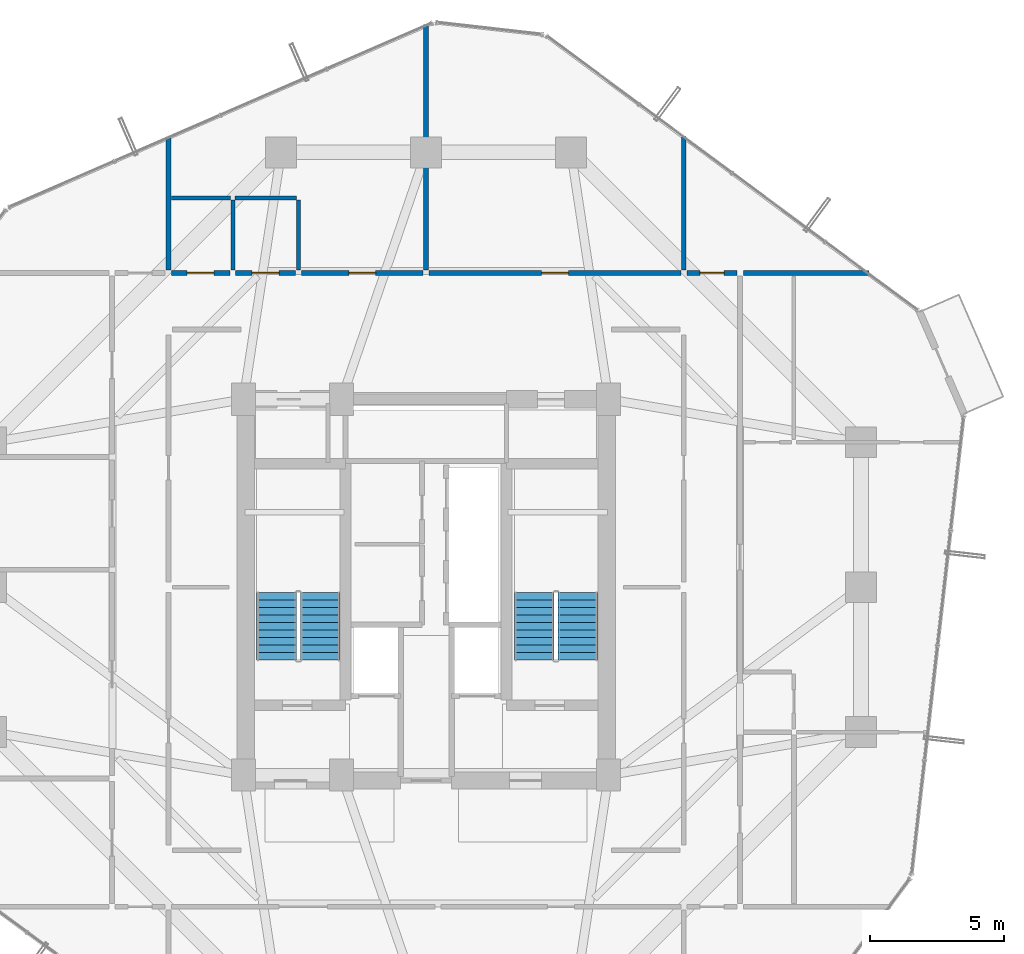
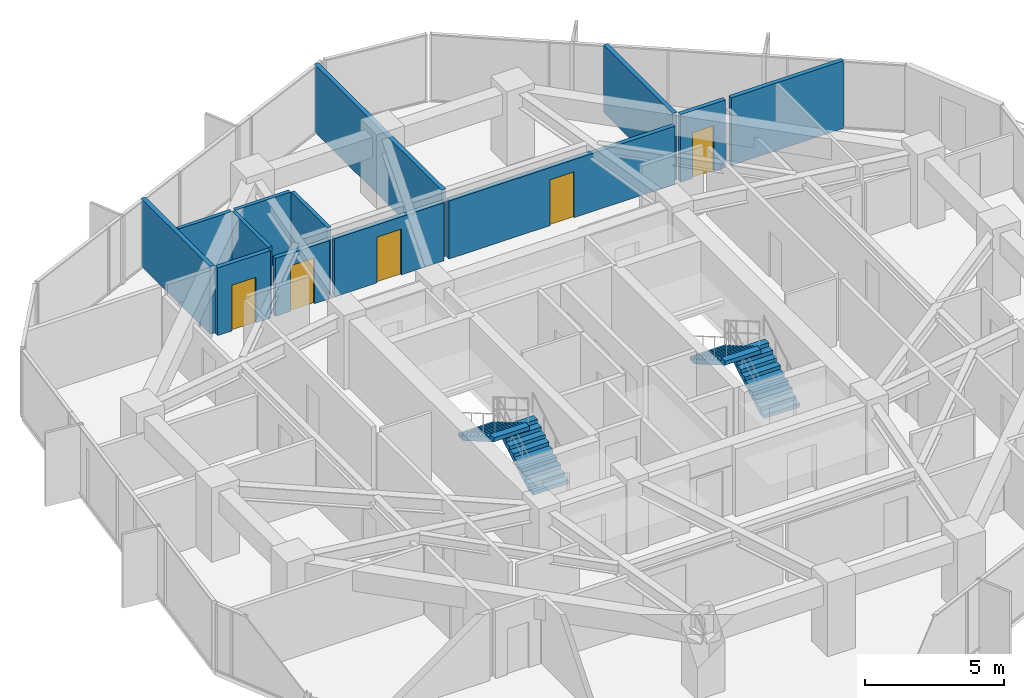
# One storey, part 27 of 29: 13 walls, 5 doors, 4 stair flights, 5 openings, 2 elements without a shape of their own.
"""IFC4 building model written with IfcOpenShell, lengths in metres."""

from ifc_helpers import new_model, si_unit, direction, frame, frame_2d, origin, place, context, subcontext, project, spatial, polyline, rectangle, outline, extrude, source, transform, mapped, material, layer, layer_set, type_object, element, fill, aggregate, save


model = new_model("IFC4")

# Units and contexts
model_context = context("Model", 3, precision=1e-05, world=origin(), true_north=direction((0.0, 1.0)))
body_context = subcontext(model_context, "Body", "Model", "MODEL_VIEW")
ifc_project = project(units=[si_unit("LENGTHUNIT", "METRE"), si_unit("AREAUNIT", "SQUARE_METRE"), si_unit("VOLUMEUNIT", "CUBIC_METRE"), si_unit("PLANEANGLEUNIT", "RADIAN"), si_unit("MASSUNIT", "GRAM", prefix="KILO")], contexts=[model_context])

# Site, building, storey
site_placement = place(None, origin())
site = spatial("IfcSite", under=ifc_project, at=site_placement, CompositionType="ELEMENT")
building_placement = place(site_placement, origin())
building = spatial("IfcBuilding", under=site, at=building_placement, Name="Veraguas Prism Commons", CompositionType="ELEMENT")
storey_placement = place(building_placement, frame((0.0, 0.0, 105.699951171875)))
storey = spatial("IfcBuildingStorey", under=building, at=storey_placement, Name="L29", CompositionType="ELEMENT", Elevation=105.699951171875)

# Walls
ifc_material_1 = material(Name="Autoclaved aerated masonry block 10 MPa", Category="masonry")
ifc_layer_1 = layer(ifc_material_1, 0.179931640625, Name="Corridor and Inter-Tenancy Partition 180", Category="masonry")
ifc_layer_set_1 = layer_set([ifc_layer_1], Name="Autoclaved aerated masonry block 10 MPa")
wall_type_1 = type_object("IfcWallType", Name="Corridor and Inter-Tenancy Partition 180", PredefinedType="PARTITIONING", material=ifc_layer_set_1)
wall_1_placement = place(storey_placement, frame((14.39990234375, 35.820068359375, 0.0), z_axis=(0.0, 0.0, 1.0), x_axis=(0.0, 1.0, 0.0)))
element("IfcWall", 1, at=wall_1_placement, inside=storey, type_object=wall_type_1, Name="WL-L29-PT005", PredefinedType="PARTITIONING", context=body_context, shape_type="SweptSolid", body=[
    extrude(rectangle(XDim=4.954833984375, YDim=0.179931640625, at=frame_2d((2.4775390625, 0.0))), origin(), (0.0, 0.0, 1.0), 2.969970703125),
])
wall_2_placement = place(storey_placement, frame((33.60009765625, 35.820068359375, 0.0), z_axis=(0.0, 0.0, 1.0), x_axis=(0.0, 1.0, 0.0)))
element("IfcWall", 2, at=wall_2_placement, inside=storey, type_object=wall_type_1, Name="WL-L29-PT006", PredefinedType="PARTITIONING", context=body_context, shape_type="SweptSolid", body=[
    extrude(rectangle(XDim=4.975830078125, YDim=0.179931640625, at=frame_2d((2.48779296875, 0.0))), origin(), (0.0, 0.0, 1.0), 2.969970703125),
])

# Wall, opening, door
wall_3_placement = place(storey_placement, frame((14.510009765625, 35.699951171875, 0.0), z_axis=(0.0, 0.0, 1.0), x_axis=(1.0, 0.0, 0.0)))
wall_3 = element("IfcWall", 3, at=wall_3_placement, inside=storey, type_object=wall_type_1, Name="WL-L29-PT007", PredefinedType="PARTITIONING", context=body_context, shape_type="SweptSolid", body=[
    extrude(rectangle(XDim=2.179931640625, YDim=0.179931640625, at=frame_2d((1.08984375, 0.0))), origin(), (0.0, 0.0, 1.0), 2.969970703125),
])
opening_1_placement = place(wall_3_placement, frame((0.590087890625, 0.0, 0.0)))
opening_1 = element("IfcOpeningElement", 4, at=opening_1_placement, cuts=wall_3, Name="Opening DR-13", PredefinedType="OPENING", context=body_context, shape_type="SweptSolid", body=[
    extrude(rectangle(XDim=1.0, YDim=2.010009765625, at=frame_2d((0.5, 1.0048828125))), frame((0.0, 0.099853515625, 0.0), z_axis=(0.0, -1.0, 0.0), x_axis=(1.0, 0.0, 0.0)), (0.0, 0.0, 1.0), 0.199951171875),
])
ifc_material_2 = material(Name="Steel fire-rated door assembly", Category="steel")
door_type_1 = type_object("IfcDoorType", Name="Core Accessible WC and Clinic Fire Door 1000x2010", OperationType="NOTDEFINED", PredefinedType="DOOR", material=ifc_material_2)
shared_shape_1 = source(origin(), body_context, "Body", "SweptSolid", [
    extrude(rectangle(XDim=1.0, YDim=2.010009765625, at=frame_2d((0.5, 1.0048828125))), frame((0.0, 0.02490234375, 0.0), z_axis=(0.0, -1.0, 0.0), x_axis=(1.0, 0.0, 0.0)), (0.0, 0.0, 1.0), 0.050048828125),
])
door_1_placement = place(opening_1_placement, origin())
door_1 = element("IfcDoor", 5, at=door_1_placement, inside=storey, type_object=door_type_1, Name="Public WC L29 Door", OperationType="SINGLE_SWING_RIGHT", OverallHeight=2.010009765625, OverallWidth=1.0, PredefinedType="DOOR", context=body_context, shape_type="MappedRepresentation", body=[
    mapped(shared_shape_1, transform((0.0, 0.0, 0.0), scale=1.0)),
])
fill(opening_1, door_1)

wall_4_placement = place(storey_placement, frame((16.909912109375, 35.699951171875, 0.0), z_axis=(0.0, 0.0, 1.0), x_axis=(1.0, 0.0, 0.0)))
wall_4 = element("IfcWall", 6, at=wall_4_placement, inside=storey, type_object=wall_type_1, Name="WL-L29-PT008", PredefinedType="PARTITIONING", context=body_context, shape_type="SweptSolid", body=[
    extrude(rectangle(XDim=2.22998046875, YDim=0.179931640625, at=frame_2d((1.114990234375, 0.0))), origin(), (0.0, 0.0, 1.0), 2.550048828125),
])
opening_2_placement = place(wall_4_placement, frame((0.614990234375, 0.0, 0.0)))
opening_2 = element("IfcOpeningElement", 7, at=opening_2_placement, cuts=wall_4, Name="Opening DR-13", PredefinedType="OPENING", context=body_context, shape_type="SweptSolid", body=[
    extrude(rectangle(XDim=1.0, YDim=2.010009765625, at=frame_2d((0.5, 1.0048828125))), frame((0.0, 0.099853515625, 0.0), z_axis=(0.0, -1.0, 0.0), x_axis=(1.0, 0.0, 0.0)), (0.0, 0.0, 1.0), 0.199951171875),
])
door_2_placement = place(opening_2_placement, origin())
door_2 = element("IfcDoor", 8, at=door_2_placement, inside=storey, type_object=door_type_1, Name="Accessible WC L29 Door", OperationType="SINGLE_SWING_LEFT", OverallHeight=2.010009765625, OverallWidth=1.0, PredefinedType="DOOR", context=body_context, shape_type="MappedRepresentation", body=[
    mapped(shared_shape_1, transform((0.0, 0.0, 0.0), scale=1.0)),
])
fill(opening_2, door_2)

wall_5_placement = place(storey_placement, frame((19.360107421875, 35.699951171875, 0.0), z_axis=(0.0, 0.0, 1.0), x_axis=(1.0, 0.0, 0.0)))
wall_5 = element("IfcWall", 9, at=wall_5_placement, inside=storey, type_object=wall_type_1, Name="WL-L29-PT009", PredefinedType="PARTITIONING", context=body_context, shape_type="SweptSolid", body=[
    extrude(rectangle(XDim=4.52978515625, YDim=0.179931640625, at=frame_2d((2.264892578125, 0.0))), origin(), (0.0, 0.0, 1.0), 2.550048828125),
])
opening_3_placement = place(wall_5_placement, frame((1.764892578125, 0.0, 0.0)))
opening_3 = element("IfcOpeningElement", 10, at=opening_3_placement, cuts=wall_5, Name="Opening DR-13", PredefinedType="OPENING", context=body_context, shape_type="SweptSolid", body=[
    extrude(rectangle(XDim=1.0, YDim=2.010009765625, at=frame_2d((0.5, 1.0048828125))), frame((0.0, 0.099853515625, 0.0), z_axis=(0.0, -1.0, 0.0), x_axis=(1.0, 0.0, 0.0)), (0.0, 0.0, 1.0), 0.199951171875),
])
door_3_placement = place(opening_3_placement, origin())
door_3 = element("IfcDoor", 11, at=door_3_placement, inside=storey, type_object=door_type_1, Name="Quiet Study L29 Door", OperationType="SINGLE_SWING_RIGHT", OverallHeight=2.010009765625, OverallWidth=1.0, PredefinedType="DOOR", context=body_context, shape_type="MappedRepresentation", body=[
    mapped(shared_shape_1, transform((0.0, 0.0, 0.0), scale=1.0)),
])
fill(opening_3, door_3)

wall_6_placement = place(storey_placement, frame((24.110107421875, 35.699951171875, 0.0), z_axis=(0.0, 0.0, 1.0), x_axis=(1.0, 0.0, 0.0)))
wall_6 = element("IfcWall", 12, at=wall_6_placement, inside=storey, type_object=wall_type_1, Name="WL-L29-PT010", PredefinedType="PARTITIONING", context=body_context, shape_type="SweptSolid", body=[
    extrude(rectangle(XDim=9.3798828125, YDim=0.179931640625, at=frame_2d((4.68994140625, 0.0))), origin(), (0.0, 0.0, 1.0), 2.550048828125),
])
opening_4_placement = place(wall_6_placement, frame((4.18994140625, 0.0, 0.0)))
opening_4 = element("IfcOpeningElement", 13, at=opening_4_placement, cuts=wall_6, Name="Opening DR-13", PredefinedType="OPENING", context=body_context, shape_type="SweptSolid", body=[
    extrude(rectangle(XDim=1.0, YDim=2.010009765625, at=frame_2d((0.5, 1.0048828125))), frame((0.0, 0.099853515625, 0.0), z_axis=(0.0, -1.0, 0.0), x_axis=(1.0, 0.0, 0.0)), (0.0, 0.0, 1.0), 0.199951171875),
])
door_4_placement = place(opening_4_placement, origin())
door_4 = element("IfcDoor", 14, at=door_4_placement, inside=storey, type_object=door_type_1, Name="Reading Lounge L29 Door", OperationType="SINGLE_SWING_LEFT", OverallHeight=2.010009765625, OverallWidth=1.0, PredefinedType="DOOR", context=body_context, shape_type="MappedRepresentation", body=[
    mapped(shared_shape_1, transform((0.0, 0.0, 0.0), scale=1.0)),
])
fill(opening_4, door_4)

# Walls
wall_7_placement = place(storey_placement, frame((24.0, 35.820068359375, 0.0), z_axis=(0.0, 0.0, 1.0), x_axis=(0.0, 1.0, 0.0)))
element("IfcWall", 15, at=wall_7_placement, inside=storey, type_object=wall_type_1, Name="WL-L29-PT015", PredefinedType="PARTITIONING", context=body_context, shape_type="SweptSolid", body=[
    extrude(rectangle(XDim=9.133056640625, YDim=0.179931640625, at=frame_2d((4.56640625, 0.0))), origin(), (0.0, 0.0, 1.0), 2.969970703125),
])
wall_8_placement = place(storey_placement, frame((35.820068359375, 35.699951171875, 0.0), z_axis=(0.0, 0.0, 1.0), x_axis=(1.0, 0.0, 0.0)))
element("IfcWall", 16, at=wall_8_placement, inside=storey, type_object=wall_type_1, Name="WL-L29-PT026", PredefinedType="PARTITIONING", context=body_context, shape_type="SweptSolid", body=[
    extrude(rectangle(XDim=4.671630859375, YDim=0.179931640625, at=frame_2d((2.3359375, 0.0))), origin(), (0.0, 0.0, 1.0), 2.969970703125),
])

# Wall, opening, door
wall_9_placement = place(storey_placement, frame((33.719970703125, 35.699951171875, 0.0), z_axis=(0.0, 0.0, 1.0), x_axis=(1.0, 0.0, 0.0)))
wall_9 = element("IfcWall", 17, at=wall_9_placement, inside=storey, type_object=wall_type_1, Name="WL-L29-PT040", PredefinedType="PARTITIONING", context=body_context, shape_type="SweptSolid", body=[
    extrude(rectangle(XDim=1.860107421875, YDim=0.179931640625, at=frame_2d((0.93017578125, 0.0))), origin(), (0.0, 0.0, 1.0), 2.969970703125),
])
opening_5_placement = place(wall_9_placement, frame((0.47998046875, 0.0, 0.0)))
opening_5 = element("IfcOpeningElement", 18, at=opening_5_placement, cuts=wall_9, Name="Opening DR-14", PredefinedType="OPENING", context=body_context, shape_type="SweptSolid", body=[
    extrude(rectangle(XDim=0.89990234375, YDim=2.010009765625, at=frame_2d((0.449951171875, 1.0048828125))), frame((0.0, 0.099853515625, 0.0), z_axis=(0.0, -1.0, 0.0), x_axis=(1.0, 0.0, 0.0)), (0.0, 0.0, 1.0), 0.199951171875),
])
door_type_2 = type_object("IfcDoorType", Name="Core Service Room Fire Door 900x2010", OperationType="NOTDEFINED", PredefinedType="DOOR", material=ifc_material_2)
shared_shape_2 = source(origin(), body_context, "Body", "SweptSolid", [
    extrude(rectangle(XDim=0.89990234375, YDim=2.010009765625, at=frame_2d((0.449951171875, 1.0048828125))), frame((0.0, 0.02490234375, 0.0), z_axis=(0.0, -1.0, 0.0), x_axis=(1.0, 0.0, 0.0)), (0.0, 0.0, 1.0), 0.050048828125),
])
door_5_placement = place(opening_5_placement, origin())
door_5 = element("IfcDoor", 19, at=door_5_placement, inside=storey, type_object=door_type_2, Name="Shared Laundry Room NE Door", OperationType="SINGLE_SWING_LEFT", OverallHeight=2.010009765625, OverallWidth=0.89990234375, PredefinedType="DOOR", context=body_context, shape_type="MappedRepresentation", body=[
    mapped(shared_shape_2, transform((0.0, 0.0, 0.0), scale=1.0)),
])
fill(opening_5, door_5)

# Walls
ifc_material_3 = material(Name="Lightweight acoustic gypsum board")
ifc_layer_2 = layer(ifc_material_3, 0.14990234375, Name="Wet Room and Clinic Acoustic Partition 150")
ifc_layer_set_2 = layer_set([ifc_layer_2], Name="Lightweight acoustic gypsum board")
wall_type_2 = type_object("IfcWallType", Name="Wet Room and Clinic Acoustic Partition 150", PredefinedType="PARTITIONING", material=ifc_layer_set_2)
for number, where, z_axis, x_axis, name in (
    (20, (16.800048828125, 35.820068359375, 0.0), (0.0, 0.0, 1.0), (0.0, 1.0, 0.0), "WL-L29-PT011"),
    (21, (19.25, 35.820068359375, 0.0), (0.0, 0.0, 1.0), (0.0, 1.0, 0.0), "WL-L29-PT012"),
):
    element("IfcWall", number, at=place(storey_placement, frame(where, z_axis=z_axis, x_axis=x_axis)), inside=storey, type_object=wall_type_2, Name=name, PredefinedType="PARTITIONING", context=body_context, shape_type="SweptSolid", body=[
        extrude(rectangle(XDim=2.599853515625, YDim=0.14990234375, at=frame_2d((1.2998046875, 0.0))), origin(), (0.0, 0.0, 1.0), 2.969970703125),
    ])
wall_10_placement = place(storey_placement, frame((14.52001953125, 38.5, 0.0), z_axis=(0.0, 0.0, 1.0), x_axis=(1.0, 0.0, 0.0)))
element("IfcWall", 22, at=wall_10_placement, inside=storey, type_object=wall_type_2, Name="WL-L29-PT013", PredefinedType="PARTITIONING", context=body_context, shape_type="SweptSolid", body=[
    extrude(rectangle(XDim=2.199951171875, YDim=0.14990234375, at=frame_2d((1.10009765625, 0.0))), origin(), (0.0, 0.0, 1.0), 2.969970703125),
])
wall_11_placement = place(storey_placement, frame((16.8798828125, 38.5, 0.0), z_axis=(0.0, 0.0, 1.0), x_axis=(1.0, 0.0, 0.0)))
element("IfcWall", 23, at=wall_11_placement, inside=storey, type_object=wall_type_2, Name="WL-L29-PT014", PredefinedType="PARTITIONING", context=body_context, shape_type="SweptSolid", body=[
    extrude(rectangle(XDim=2.2900390625, YDim=0.14990234375, at=frame_2d((1.14501953125, 0.0))), origin(), (0.0, 0.0, 1.0), 2.969970703125),
])

# Stair, stair flights
ifc_material_4 = material(Name="Precast concrete C45/55", Category="concrete")
stair_type = type_object("IfcStairType", Name="Dogleg Core Stair 1480W 20R 05", PredefinedType="HALF_TURN_STAIR", material=ifc_material_4)
stair_1_placement = place(storey_placement, origin())
stair_1 = element("IfcStair", 24, at=stair_1_placement, inside=storey, type_object=stair_type, Name="Protected Exit Stair ST-01 L29", PredefinedType="HALF_TURN_STAIR")
stair_flight_type = type_object("IfcStairFlightType", Name="Precast Stair Flight 1480W 10R 05", PredefinedType="STRAIGHT", material=ifc_material_4)
stair_flight_1_placement = place(storey_placement, frame((20.06005859375, 21.280029296875, 0.0), z_axis=(0.0, 0.0, 1.0), x_axis=(0.0, 1.0, 0.0)))
stair_flight_1 = element("IfcStairFlight", 25, at=stair_flight_1_placement, type_object=stair_flight_type, Name="ST-05 Flight 1", NumberOfRisers=10, NumberOfTreads=9, PredefinedType="STRAIGHT", RiserHeight=0.1625, TreadLength=0.28, context=body_context, shape_type="SweptSolid", body=[
    extrude(outline(polyline([(0.0, 0.0), (0.0, 0.16259765625), (0.280029296875, 0.16259765625), (0.280029296875, 0.324951171875), (0.56005859375, 0.324951171875), (0.56005859375, 0.487548828125), (0.840087890625, 0.487548828125), (0.840087890625, 0.64990234375), (1.1201171875, 0.64990234375), (1.1201171875, 0.8125), (1.39990234375, 0.8125), (1.39990234375, 0.97509765625), (1.679931640625, 0.97509765625), (1.679931640625, 1.137451171875), (1.9599609375, 1.137451171875), (1.9599609375, 1.300048828125), (2.239990234375, 1.300048828125), (2.239990234375, 1.46240234375), (2.52001953125, 1.46240234375), (2.52001953125, 1.625), (2.52001953125, 1.2890625), (0.298583984375, 0.0), (0.0, 0.0)])), frame((0.0, 0.739990234375, 0.0), z_axis=(0.0, -1.0, 0.0), x_axis=(1.0, 0.0, 0.0)), (0.0, 0.0, 1.0), 1.47998046875),
])
stair_flight_2_placement = place(storey_placement, frame((18.429931640625, 23.800048828125, 1.625), z_axis=(0.0, 0.0, 1.0), x_axis=(0.0, -1.0, 0.0)))
stair_flight_2 = element("IfcStairFlight", 26, at=stair_flight_2_placement, type_object=stair_flight_type, Name="ST-05 Flight 2", NumberOfRisers=10, NumberOfTreads=9, PredefinedType="STRAIGHT", RiserHeight=0.1625, TreadLength=0.28, context=body_context, shape_type="SweptSolid", body=[
    extrude(outline(polyline([(0.0, 0.0), (0.0, 0.16259765625), (0.280029296875, 0.16259765625), (0.280029296875, 0.324951171875), (0.56005859375, 0.324951171875), (0.56005859375, 0.487548828125), (0.840087890625, 0.487548828125), (0.840087890625, 0.64990234375), (1.1201171875, 0.64990234375), (1.1201171875, 0.8125), (1.39990234375, 0.8125), (1.39990234375, 0.97509765625), (1.679931640625, 0.97509765625), (1.679931640625, 1.137451171875), (1.9599609375, 1.137451171875), (1.9599609375, 1.300048828125), (2.239990234375, 1.300048828125), (2.239990234375, 1.46240234375), (2.52001953125, 1.46240234375), (2.52001953125, 1.625), (2.52001953125, 1.2890625), (0.298583984375, 0.0), (0.0, 0.0)])), frame((0.0, 0.739990234375, 0.0), z_axis=(0.0, -1.0, 0.0), x_axis=(1.0, 0.0, 0.0)), (0.0, 0.0, 1.0), 1.47998046875),
])
aggregate(stair_1, [stair_flight_1, stair_flight_2])

stair_2_placement = place(storey_placement, origin())
stair_2 = element("IfcStair", 27, at=stair_2_placement, inside=storey, type_object=stair_type, Name="Protected Exit Stair ST-02 L29", PredefinedType="HALF_TURN_STAIR")
stair_flight_3_placement = place(storey_placement, frame((29.659912109375, 21.280029296875, 0.0), z_axis=(0.0, 0.0, 1.0), x_axis=(0.0, 1.0, 0.0)))
stair_flight_3 = element("IfcStairFlight", 28, at=stair_flight_3_placement, type_object=stair_flight_type, Name="ST-05 Flight 1", NumberOfRisers=10, NumberOfTreads=9, PredefinedType="STRAIGHT", RiserHeight=0.1625, TreadLength=0.28, context=body_context, shape_type="SweptSolid", body=[
    extrude(outline(polyline([(0.0, 0.0), (0.0, 0.16259765625), (0.280029296875, 0.16259765625), (0.280029296875, 0.324951171875), (0.56005859375, 0.324951171875), (0.56005859375, 0.487548828125), (0.840087890625, 0.487548828125), (0.840087890625, 0.64990234375), (1.1201171875, 0.64990234375), (1.1201171875, 0.8125), (1.39990234375, 0.8125), (1.39990234375, 0.97509765625), (1.679931640625, 0.97509765625), (1.679931640625, 1.137451171875), (1.9599609375, 1.137451171875), (1.9599609375, 1.300048828125), (2.239990234375, 1.300048828125), (2.239990234375, 1.46240234375), (2.52001953125, 1.46240234375), (2.52001953125, 1.625), (2.52001953125, 1.2890625), (0.298583984375, 0.0), (0.0, 0.0)])), frame((0.0, 0.739990234375, 0.0), z_axis=(0.0, -1.0, 0.0), x_axis=(1.0, 0.0, 0.0)), (0.0, 0.0, 1.0), 1.47998046875),
])
stair_flight_4_placement = place(storey_placement, frame((28.030029296875, 23.800048828125, 1.625), z_axis=(0.0, 0.0, 1.0), x_axis=(0.0, -1.0, 0.0)))
stair_flight_4 = element("IfcStairFlight", 29, at=stair_flight_4_placement, type_object=stair_flight_type, Name="ST-05 Flight 2", NumberOfRisers=10, NumberOfTreads=9, PredefinedType="STRAIGHT", RiserHeight=0.1625, TreadLength=0.28, context=body_context, shape_type="SweptSolid", body=[
    extrude(outline(polyline([(0.0, 0.0), (0.0, 0.16259765625), (0.280029296875, 0.16259765625), (0.280029296875, 0.324951171875), (0.56005859375, 0.324951171875), (0.56005859375, 0.487548828125), (0.840087890625, 0.487548828125), (0.840087890625, 0.64990234375), (1.1201171875, 0.64990234375), (1.1201171875, 0.8125), (1.39990234375, 0.8125), (1.39990234375, 0.97509765625), (1.679931640625, 0.97509765625), (1.679931640625, 1.137451171875), (1.9599609375, 1.137451171875), (1.9599609375, 1.300048828125), (2.239990234375, 1.300048828125), (2.239990234375, 1.46240234375), (2.52001953125, 1.46240234375), (2.52001953125, 1.625), (2.52001953125, 1.2890625), (0.298583984375, 0.0), (0.0, 0.0)])), frame((0.0, 0.739990234375, 0.0), z_axis=(0.0, -1.0, 0.0), x_axis=(1.0, 0.0, 0.0)), (0.0, 0.0, 1.0), 1.47998046875),
])
aggregate(stair_2, [stair_flight_3, stair_flight_4])

save(model, "model.ifc")
